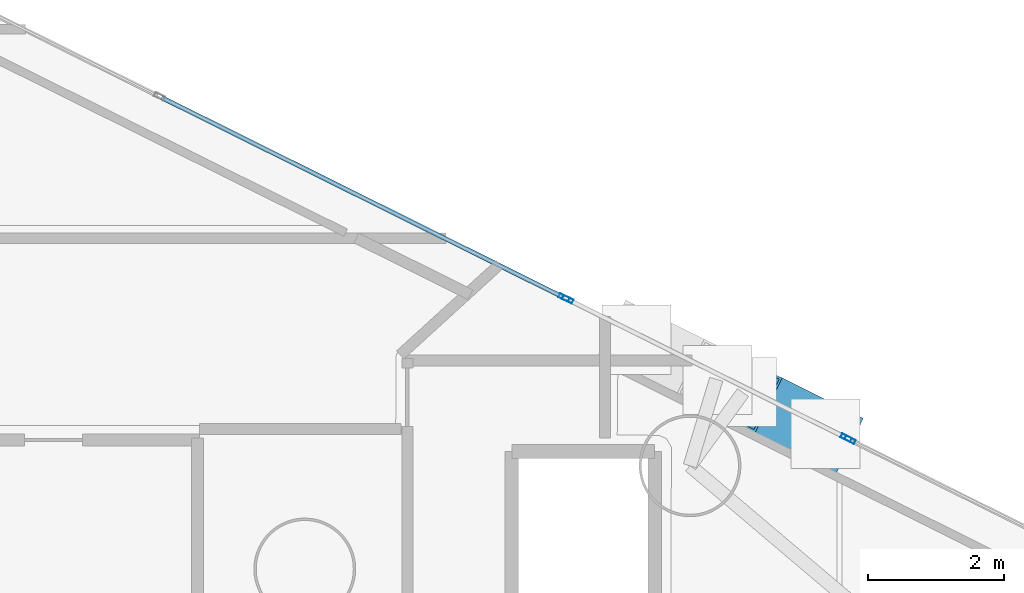
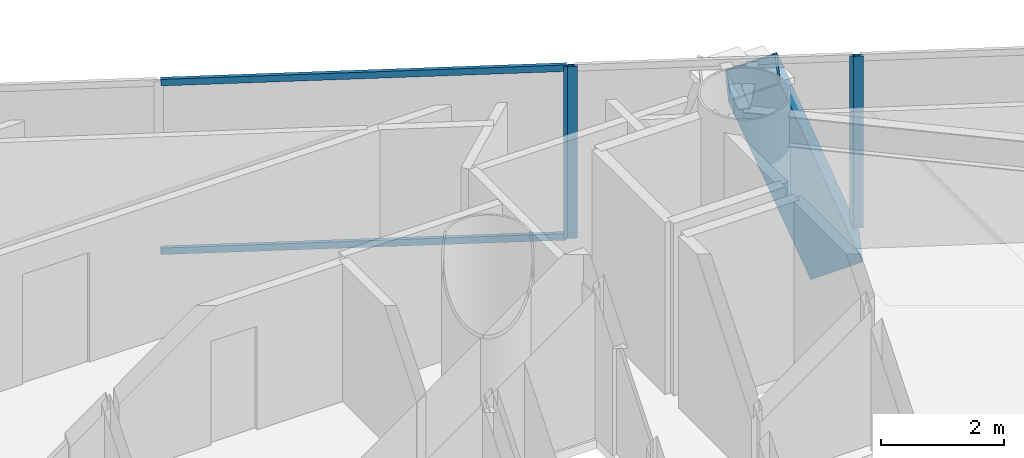
# One storey, part 12 of 22: 7 members, 3 elements without a shape of their own.
"""IFC4 building model written with IfcOpenShell, lengths in metres."""

from ifc_helpers import new_model, si_unit, direction, frame, origin, origin_2d, place, context, subcontext, project, spatial, hollow_rectangle, extrude, material, layer, layer_set, material_profile, profile_set, type_object, element, aggregate, save


model = new_model("IFC4")

# Units and contexts
model_context = context("Model", 3, precision=1e-05, world=origin(), true_north=direction((0.0, 1.0)))
body_context = subcontext(model_context, "Body", "Model", "MODEL_VIEW")
ifc_project = project(units=[si_unit("LENGTHUNIT", "METRE"), si_unit("AREAUNIT", "SQUARE_METRE"), si_unit("VOLUMEUNIT", "CUBIC_METRE"), si_unit("PLANEANGLEUNIT", "RADIAN"), si_unit("MASSUNIT", "GRAM", prefix="KILO")], contexts=[model_context])

# Site, building, storey
site_placement = place(None, origin())
site = spatial("IfcSite", under=ifc_project, at=site_placement, CompositionType="ELEMENT")
building_placement = place(site_placement, origin())
building = spatial("IfcBuilding", under=site, at=building_placement, Name="Qianvela Tower", CompositionType="ELEMENT")
storey_placement = place(building_placement, frame((0.0, 0.0, 134.800048828125)))
storey = spatial("IfcBuildingStorey", under=building, at=storey_placement, Name="L34", CompositionType="ELEMENT", Elevation=134.800048828125)

# Curtain wall, members
ifc_material_1 = material(Name="Anodised Architectural Aluminium and Insulated Spandrel Panel", Category="aluminium")
ifc_layer_1 = layer(ifc_material_1, 0.179931640625)
ifc_layer_set_1 = layer_set([ifc_layer_1], Name="Anodised Architectural Aluminium and Insulated Spandrel Panel")
curtain_wall_type_1 = type_object("IfcCurtainWallType", Name="CW-BRACEBAY", PredefinedType="USERDEFINED", material=ifc_layer_set_1)
curtain_wall_1_placement = place(storey_placement, origin())
curtain_wall_1 = element("IfcCurtainWall", 1, at=curtain_wall_1_placement, inside=storey, type_object=curtain_wall_type_1, Name="L34 CW-BRACEBAY Curtain Wall 02B", ObjectType="CURTAIN_WALL_SYSTEM", PredefinedType="USERDEFINED")
ifc_material_2 = material(Name="Anodised Architectural Aluminium 6063-T6", Category="aluminium")
ifc_material_profile_1 = material_profile(ifc_material_2, hollow_rectangle(XDim=0.06494140625, YDim=0.159912109375, WallThickness=0.0048828125, at=origin_2d()), Name="ALU-MULL-65x160")
ifc_profile_set_1 = profile_set([ifc_material_profile_1], Name="Anodised Architectural Aluminium 6063-T6")
member_type_1 = type_object("IfcMemberType", Name="CW-BRACEBAY-MULL", PredefinedType="MULLION", material=ifc_profile_set_1)
member_1_placement = place(storey_placement, frame((46.3701171875, 35.48193359375, 0.0), z_axis=(0.0, 0.0, 1.0), x_axis=(-0.445152058609, -0.895454993127, 0.0)))
member_1 = element("IfcMember", 2, at=member_1_placement, type_object=member_type_1, Name="CW-9 mullion 1", PredefinedType="MULLION", context=body_context, shape_type="SweptSolid", body=[
    extrude(hollow_rectangle(XDim=0.06494140625, YDim=0.159912109375, WallThickness=0.0048828125, at=origin_2d()), origin(), (0.0, 0.0, 1.0), 3.39990234375),
])
member_2_placement = place(storey_placement, frame((42.273193359375, 37.518310546875, 0.0), z_axis=(0.0, 0.0, 1.0), x_axis=(-0.445152058609, -0.895454993127, 0.0)))
member_2 = element("IfcMember", 3, at=member_2_placement, type_object=member_type_1, Name="CW-9 mullion 2", PredefinedType="MULLION", context=body_context, shape_type="SweptSolid", body=[
    extrude(hollow_rectangle(XDim=0.06494140625, YDim=0.159912109375, WallThickness=0.0048828125, at=origin_2d()), origin(), (0.0, 0.0, 1.0), 3.39990234375),
])
aggregate(curtain_wall_1, [member_1, member_2])

# Curtain wall, member
ifc_material_3 = material(Name="Anodised Architectural Aluminium and Low-E Glass", Category="aluminium")
ifc_layer_2 = layer(ifc_material_3, 0.169921875)
ifc_layer_set_2 = layer_set([ifc_layer_2], Name="Anodised Architectural Aluminium and Low-E Glass")
curtain_wall_type_2 = type_object("IfcCurtainWallType", Name="CW-COLIV-Z34", PredefinedType="USERDEFINED", material=ifc_layer_set_2)
curtain_wall_2_placement = place(storey_placement, origin())
curtain_wall_2 = element("IfcCurtainWall", 4, at=curtain_wall_2_placement, inside=storey, type_object=curtain_wall_type_2, Name="L34 CW-COLIV-Z34 Curtain Wall 02A", ObjectType="CURTAIN_WALL_SYSTEM", PredefinedType="USERDEFINED")
ifc_material_4 = material(Name="Anodised Architectural Aluminium 6063-T6", Category="aluminium")
ifc_material_profile_2 = material_profile(ifc_material_4, hollow_rectangle(XDim=0.06494140625, YDim=0.159912109375, WallThickness=0.0048828125, at=origin_2d()), Name="ALU-MULL-65x160")
ifc_profile_set_2 = profile_set([ifc_material_profile_2], Name="Anodised Architectural Aluminium 6063-T6")
member_type_2 = type_object("IfcMemberType", Name="CW-COLIV-Z34-MULL", PredefinedType="MULLION", material=ifc_profile_set_2)
member_3_placement = place(storey_placement, frame((46.42822265625, 35.452880859375, 0.0), z_axis=(0.0, 0.0, 1.0), x_axis=(-0.445149904419, -0.895456064023, 0.0)))
member_3 = element("IfcMember", 5, at=member_3_placement, type_object=member_type_2, Name="CW-4 mullion 3", PredefinedType="MULLION", context=body_context, shape_type="SweptSolid", body=[
    extrude(hollow_rectangle(XDim=0.06494140625, YDim=0.159912109375, WallThickness=0.0048828125, at=origin_2d()), origin(), (0.0, 0.0, 1.0), 3.39990234375),
])
aggregate(curtain_wall_2, [member_3])

# Curtain wall, members
curtain_wall_3_placement = place(storey_placement, origin())
curtain_wall_3 = element("IfcCurtainWall", 6, at=curtain_wall_3_placement, inside=storey, type_object=curtain_wall_type_2, Name="L34 CW-COLIV-Z34 Curtain Wall 02C", ObjectType="CURTAIN_WALL_SYSTEM", PredefinedType="USERDEFINED")
member_4_placement = place(storey_placement, frame((42.215087890625, 37.54736328125, 0.0), z_axis=(0.0, 0.0, 1.0), x_axis=(-0.445146756664, -0.895457628831, 0.0)))
member_4 = element("IfcMember", 7, at=member_4_placement, type_object=member_type_2, Name="CW-4 mullion 1", PredefinedType="MULLION", context=body_context, shape_type="SweptSolid", body=[
    extrude(hollow_rectangle(XDim=0.06494140625, YDim=0.159912109375, WallThickness=0.0048828125, at=origin_2d()), origin(), (0.0, 0.0, 1.0), 3.39990234375),
])
ifc_material_5 = material(Name="Anodised Architectural Aluminium 6063-T6", Category="aluminium")
ifc_material_profile_3 = material_profile(ifc_material_5, hollow_rectangle(XDim=0.06494140625, YDim=0.1298828125, WallThickness=0.00439453125, at=origin_2d()), Name="ALU-TRAN-65x130")
ifc_profile_set_3 = profile_set([ifc_material_profile_3], Name="Anodised Architectural Aluminium 6063-T6")
member_type_3 = type_object("IfcMemberType", Name="CW-COLIV-Z34-TRAN", PredefinedType="USERDEFINED", material=ifc_profile_set_3)
member_5_placement = place(storey_placement, frame((42.18603515625, 37.561767578125, 0.032470703125), z_axis=(-0.895448387536, 0.445165345978, 0.0), x_axis=(-0.445165345978, -0.895448387536, 0.0)))
member_5 = element("IfcMember", 8, at=member_5_placement, type_object=member_type_3, Name="CW-4 transom 1.1", ObjectType="TRANSOM", PredefinedType="USERDEFINED", context=body_context, shape_type="SweptSolid", body=[
    extrude(hollow_rectangle(XDim=0.06494140625, YDim=0.1298828125, WallThickness=0.00439453125, at=origin_2d()), origin(), (0.0, 0.0, 1.0), 6.583251953125),
])
member_6_placement = place(storey_placement, frame((42.18603515625, 37.561767578125, 3.367431640625), z_axis=(-0.895448387536, 0.445165345978, 0.0), x_axis=(-0.445165345978, -0.895448387536, 0.0)))
member_6 = element("IfcMember", 9, at=member_6_placement, type_object=member_type_3, Name="CW-4 transom 1.2", ObjectType="TRANSOM", PredefinedType="USERDEFINED", context=body_context, shape_type="SweptSolid", body=[
    extrude(hollow_rectangle(XDim=0.06494140625, YDim=0.1298828125, WallThickness=0.00439453125, at=origin_2d()), origin(), (0.0, 0.0, 1.0), 6.583251953125),
])
aggregate(curtain_wall_3, [member_4, member_5, member_6])

# Member
ifc_material_6 = material(Name="Steel Q420GJC", Category="steel")
ifc_material_profile_4 = material_profile(ifc_material_6, hollow_rectangle(XDim=0.89990234375, YDim=0.89990234375, WallThickness=0.035888671875, at=origin_2d()), Name="MBOX-900x900x36")
ifc_profile_set_4 = profile_set([ifc_material_profile_4], Name="Steel Q420GJC")
member_type_4 = type_object("IfcMemberType", Name="MBR-MBRACE-900", PredefinedType="BRACE", material=ifc_profile_set_4)
member_7_placement = place(storey_placement, frame((46.047119140625, 35.552978515625, -0.48193359375), z_axis=(-0.312800977518, 0.155537809863, 0.936997085463), x_axis=(-0.445236925802, -0.895412798603, 0.0)))
element("IfcMember", 10, at=member_7_placement, inside=storey, type_object=member_type_4, Name="L34 Tier 5 Exterior Mega-Brace F1A", PredefinedType="BRACE", context=body_context, shape_type="SweptSolid", body=[
    extrude(hollow_rectangle(XDim=0.89990234375, YDim=0.89990234375, WallThickness=0.035888671875, at=origin_2d()), origin(), (0.0, 0.0, 1.0), 3.820556640625),
])

save(model, "model.ifc")
